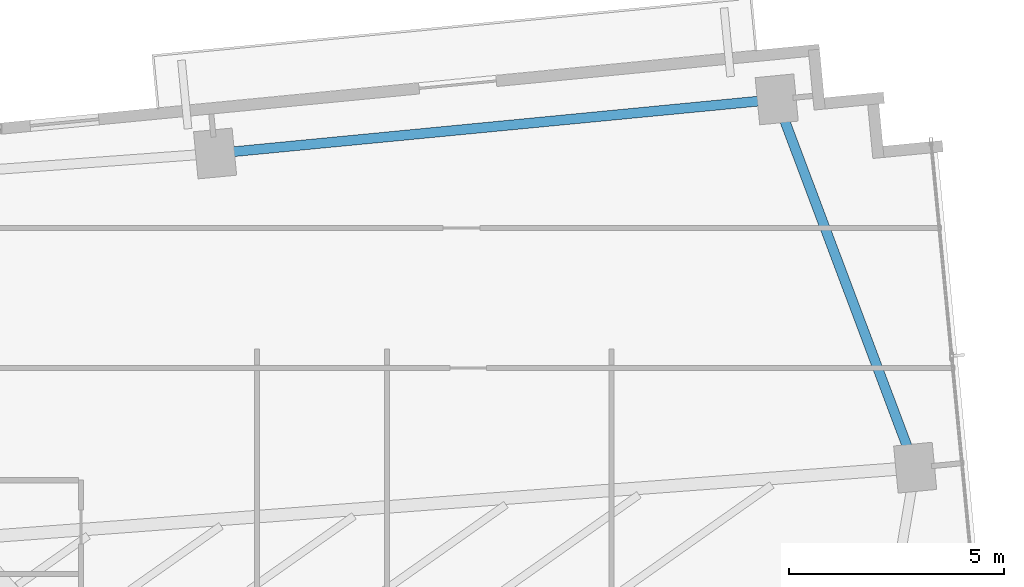
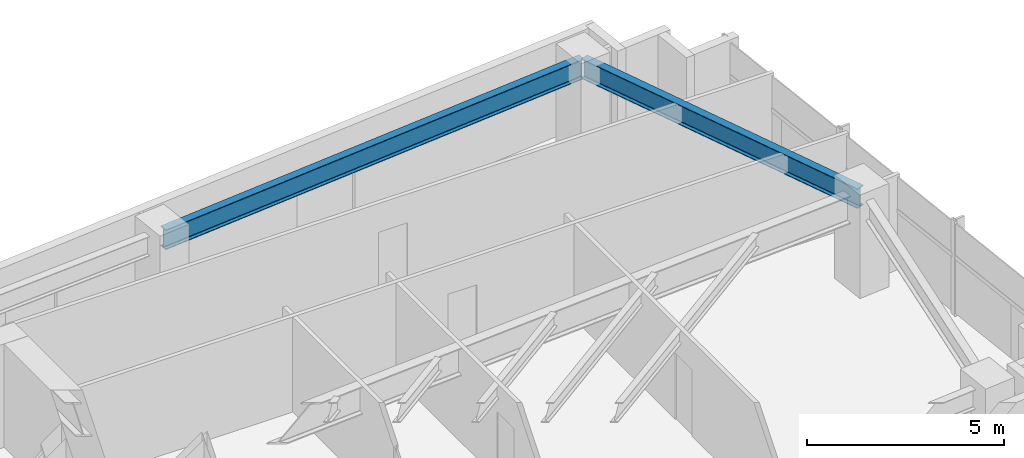
# One storey, part 16 of 25: 2 beams.
"""IFC4 building model written with IfcOpenShell, lengths in metres."""

from ifc_helpers import new_model, si_unit, direction, frame, origin, origin_2d, place, context, subcontext, project, spatial, i_section, extrude, source, transform, mapped, material, material_profile, profile_set, type_object, type_shapes, element, save


model = new_model("IFC4")

# Units and contexts
model_context = context("Model", 3, precision=1e-05, world=origin(), true_north=direction((0.0, 1.0)))
body_context = subcontext(model_context, "Body", "Model", "MODEL_VIEW")
ifc_project = project(units=[si_unit("LENGTHUNIT", "METRE"), si_unit("AREAUNIT", "SQUARE_METRE"), si_unit("VOLUMEUNIT", "CUBIC_METRE"), si_unit("PLANEANGLEUNIT", "RADIAN"), si_unit("MASSUNIT", "GRAM", prefix="KILO")], contexts=[model_context])

# Site, building, storey
site_placement = place(None, origin())
site = spatial("IfcSite", under=ifc_project, at=site_placement, CompositionType="ELEMENT")
building_placement = place(site_placement, origin())
building = spatial("IfcBuilding", under=site, at=building_placement, Name="Astriad Promenade Condominiums", CompositionType="ELEMENT")
storey_placement = place(building_placement, frame((0.0, 0.0, 103.39990234375)))
storey = spatial("IfcBuildingStorey", under=building, at=storey_placement, Name="L29", CompositionType="ELEMENT", Elevation=103.39990234375)

# Beams
ifc_material = material(Name="Steel ASTM A992 Grade 50", Category="steel")
ifc_material_profile = material_profile(ifc_material, i_section(OverallWidth=0.22900390625, OverallDepth=0.612060546875, WebThickness=0.011962890625, FlangeThickness=0.01953125, FilletRadius=0.017822265625, at=origin_2d()), Name="W24X84")
ifc_profile_set = profile_set([ifc_material_profile], Name="Steel ASTM A992 Grade 50")
beam_type = type_object("IfcBeamType", Name="STEEL SPANDREL BEAM W24X84", PredefinedType="SPANDREL", material=ifc_profile_set)
shared_shape_1 = source(origin(), body_context, "Body", "SweptSolid", [
    extrude(i_section(OverallWidth=0.22900390625, OverallDepth=0.612060546875, WebThickness=0.011962890625, FlangeThickness=0.01953125, FilletRadius=0.017822265625, at=origin_2d()), origin(), (0.0, 0.0, 1.0), 13.020263671875),
])
beam_1_placement = place(storey_placement, frame((64.394287109375, 27.5869140625, 2.634033203125), z_axis=(-0.995395311238, -0.095854965264, 0.0), x_axis=(0.095854965264, -0.995395311238, 0.0)))
element("IfcBeam", 1, at=beam_1_placement, inside=storey, type_object=beam_type, Name="Perimeter Spandrel Beam SP-N4-L29", PredefinedType="SPANDREL", context=body_context, shape_type="MappedRepresentation", body=[
    mapped(shared_shape_1, transform((0.0, 0.0, 0.0), scale=1.0)),
])
shared_shape_2 = source(origin(), body_context, "Body", "SweptSolid", [
    extrude(i_section(OverallWidth=0.22900390625, OverallDepth=0.612060546875, WebThickness=0.011962890625, FlangeThickness=0.01953125, FilletRadius=0.017822265625, at=origin_2d()), origin(), (0.0, 0.0, 1.0), 9.0556640625),
])
type_shapes(beam_type, [shared_shape_1, shared_shape_2])
beam_2_placement = place(storey_placement, frame((67.63427734375, 19.07666015625, 2.634033203125), z_axis=(-0.351856057459, 0.936054119605, 0.0), x_axis=(-0.936054119605, -0.351856057459, 0.0)))
element("IfcBeam", 2, at=beam_2_placement, inside=storey, type_object=beam_type, Name="Perimeter Spandrel Beam SP-E2-L29", PredefinedType="SPANDREL", context=body_context, shape_type="MappedRepresentation", body=[
    mapped(shared_shape_2, transform((0.0, 0.0, 0.0), scale=1.0)),
])

save(model, "model.ifc")
